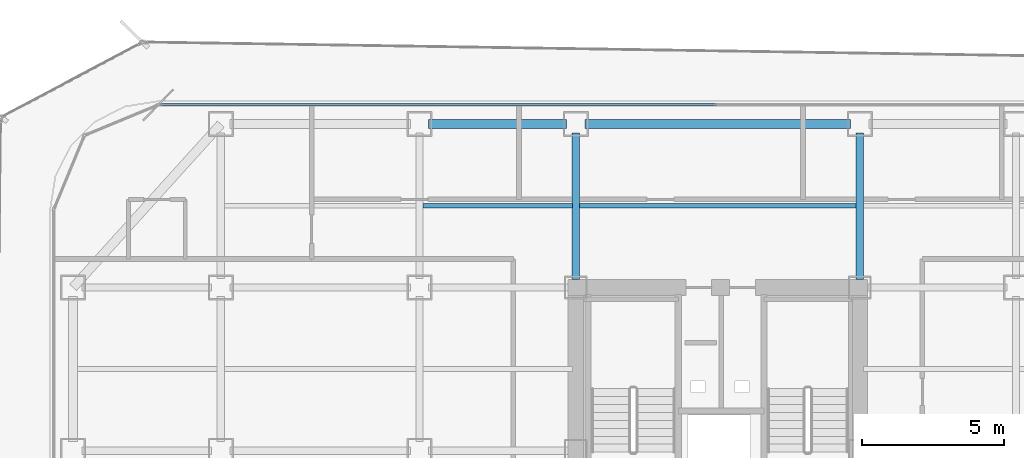
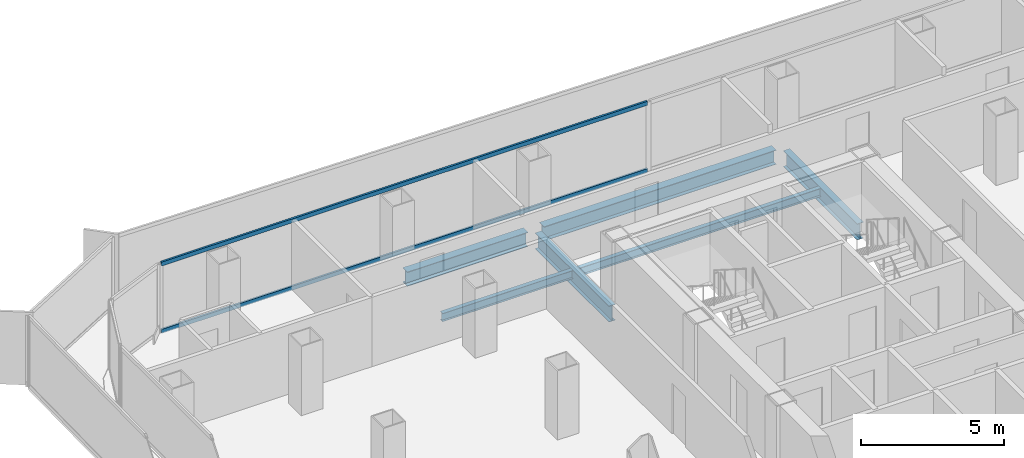
# One storey, part 11 of 21: 6 beams, 2 members, 1 element without a shape of its own.
"""IFC4 building model written with IfcOpenShell, lengths in metres."""

import ifcopenshell
import ifcopenshell.guid

model = None  # the IFC model being written
_history = None  # IfcOwnerHistory: only IFC2X3 demands one
_inside = {}  # id of a spatial element -> (the spatial element, [elements in it])
_under = {}  # id of a project, library or spatial element -> (it, [spatial elements below it])
_declared = {}  # id of a project -> (the project, [libraries it declares])
_typed = {}  # id of a type object -> (the type object, [elements of that type])
_made_of = {}  # id of a material, layer set ... -> (it, [elements and type objects made of it])


def new_model(schema):
    """Start an empty IFC model of exactly this schema.

    Asked for "IFC4X3", IfcOpenShell would pick the latest addendum, in which some entities
    have other attributes; the version numbers below select the first issue.
    IFC2X3 requires an IfcOwnerHistory on every rooted entity: one is made here for all.
    """
    global model, _history
    if schema == "IFC4X3":
        model = ifcopenshell.file(schema_version=(4, 3, 0, 0))
    else:
        model = ifcopenshell.file(schema=schema)
    _inside.clear()
    _under.clear()
    _declared.clear()
    _typed.clear()
    _made_of.clear()
    _history = None
    if model.schema == "IFC2X3":
        org = make("IfcOrganization", Name="unknown")
        user = make(
            "IfcPersonAndOrganization",
            ThePerson=make("IfcPerson", FamilyName="unknown"),
            TheOrganization=org,
        )
        app = make(
            "IfcApplication",
            ApplicationDeveloper=org,
            Version="unknown",
            ApplicationFullName="unknown",
            ApplicationIdentifier="unknown",
        )
        _history = make(
            "IfcOwnerHistory",
            OwningUser=user,
            OwningApplication=app,
            ChangeAction="ADDED",
            CreationDate=0,
        )
    return model


def make(cls, **values):
    """One entity of the class cls with the attributes given. An attribute that is None is left unset."""
    return model.create_entity(
        cls, **{name: value for name, value in values.items() if value is not None}
    )


def rooted(cls, **values):
    """An entity with a GlobalId (a new one), such as an element, a storey or a relation."""
    return make(cls, GlobalId=ifcopenshell.guid.new(), OwnerHistory=_history, **values)


def si_unit(unit_type, name, prefix=None):
    """IfcSIUnit, for example si_unit("LENGTHUNIT", "METRE", prefix="MILLI")."""
    return make("IfcSIUnit", UnitType=unit_type, Prefix=prefix, Name=name)


def assignment(units):
    """IfcUnitAssignment: the units of a project."""
    return None if units is None else make("IfcUnitAssignment", Units=units)


def point(xyz):
    """IfcCartesianPoint."""
    return None if xyz is None else make("IfcCartesianPoint", Coordinates=xyz)


def direction(xyz):
    """IfcDirection."""
    return None if xyz is None else make("IfcDirection", DirectionRatios=xyz)


def frame(location, z_axis=None, x_axis=None):
    """IfcAxis2Placement3D, a coordinate frame: its origin and axes. An axis left out is left unset."""
    return make(
        "IfcAxis2Placement3D",
        Location=point(location),
        Axis=direction(z_axis),
        RefDirection=direction(x_axis),
    )


def frame_2d(location, x_axis=None):
    """IfcAxis2Placement2D, a coordinate frame in the plane: its origin and x axis."""
    return make(
        "IfcAxis2Placement2D", Location=point(location), RefDirection=direction(x_axis)
    )


def origin():
    """The frame at (0, 0, 0) with its axes left unset."""
    return frame((0.0, 0.0, 0.0))


def origin_2d():
    """The frame at (0, 0) in the plane with its x axis left unset."""
    return frame_2d((0.0, 0.0))


def place(relative_to, where):
    """IfcLocalPlacement: puts the frame where relative to a parent placement (None: the world)."""
    return make(
        "IfcLocalPlacement", PlacementRelTo=relative_to, RelativePlacement=where
    )


def context(
    kind, dimensions, precision=None, world=None, true_north=None, identifier=None
):
    """IfcGeometricRepresentationContext, for example the 3D "Model" context."""
    return make(
        "IfcGeometricRepresentationContext",
        ContextIdentifier=identifier,
        ContextType=kind,
        CoordinateSpaceDimension=dimensions,
        Precision=precision,
        WorldCoordinateSystem=world,
        TrueNorth=true_north,
    )


def subcontext(parent, identifier, kind, view, scale=None):
    """IfcGeometricRepresentationSubContext, for example "Body" below "Model"."""
    return make(
        "IfcGeometricRepresentationSubContext",
        ContextIdentifier=identifier,
        ContextType=kind,
        ParentContext=parent,
        TargetScale=scale,
        TargetView=view,
    )


def project(units=None, contexts=None):
    """IfcProject with its units and contexts."""
    return rooted(
        "IfcProject",
        Name="project",
        RepresentationContexts=contexts,
        UnitsInContext=assignment(units),
    )


def spatial(cls, under=None, at=None, **own):
    """A site, building, storey or space (cls), placed at a placement, below another one or the project."""
    s = rooted(cls, ObjectPlacement=at, **own)
    if under is not None:
        _under.setdefault(under.id(), (under, []))[1].append(s)
    return s


def profile(cls, at=None, kind="AREA", **sizes):
    """A parametric profile (cls). Its sizes go by their IFC names, for example OverallWidth=200.0."""
    return make(cls, ProfileType=kind, Position=at, **sizes)


def hollow_rectangle(**sizes):
    """IfcRectangleHollowProfileDef."""
    return profile("IfcRectangleHollowProfileDef", **sizes)


def i_section(**sizes):
    """IfcIShapeProfileDef."""
    return profile("IfcIShapeProfileDef", **sizes)


def extrude(swept, where, along, depth):
    """IfcExtrudedAreaSolid: the profile swept, set in the frame where, extruded along a direction by depth."""
    return make(
        "IfcExtrudedAreaSolid",
        SweptArea=swept,
        Position=where,
        ExtrudedDirection=direction(along),
        Depth=depth,
    )


def shape(context_of_items, identifier, shape_type, items):
    """IfcShapeRepresentation: the items that make up one representation, for example the "Body"."""
    return make(
        "IfcShapeRepresentation",
        ContextOfItems=context_of_items,
        RepresentationIdentifier=identifier,
        RepresentationType=shape_type,
        Items=items,
    )


def source(mapping_origin, context_of_items, identifier, shape_type, items):
    """IfcRepresentationMap: a shape defined once, which mapped items show again and again."""
    return make(
        "IfcRepresentationMap",
        MappingOrigin=mapping_origin,
        MappedRepresentation=shape(context_of_items, identifier, shape_type, items),
    )


def transform(
    local_origin,
    x_axis=None,
    y_axis=None,
    z_axis=None,
    scale=None,
    scale2=None,
    scale3=None,
    uniform=True,
):
    """IfcCartesianTransformationOperator3D, or its non-uniform kind. x_axis, y_axis, z_axis: its Axis1, 2, 3."""
    if uniform:
        return make(
            "IfcCartesianTransformationOperator3D",
            Axis1=direction(x_axis),
            Axis2=direction(y_axis),
            LocalOrigin=point(local_origin),
            Scale=scale,
            Axis3=direction(z_axis),
        )
    return make(
        "IfcCartesianTransformationOperator3DnonUniform",
        Axis1=direction(x_axis),
        Axis2=direction(y_axis),
        LocalOrigin=point(local_origin),
        Scale=scale,
        Axis3=direction(z_axis),
        Scale2=scale2,
        Scale3=scale3,
    )


def mapped(mapping_source, mapping_target):
    """IfcMappedItem: shows the shape of a source again, moved by a transform."""
    return make(
        "IfcMappedItem", MappingSource=mapping_source, MappingTarget=mapping_target
    )


def material(Name=None, Category=None):
    """IfcMaterial."""
    return make("IfcMaterial", Name=Name, Category=Category)


def layer(
    of_material, thickness, ventilated=None, Name=None, Category=None, Priority=None
):
    """IfcMaterialLayer: one layer of a wall or slab, of a material (None: an air gap)."""
    return make(
        "IfcMaterialLayer",
        Material=of_material,
        LayerThickness=thickness,
        IsVentilated=ventilated,
        Name=Name,
        Category=Category,
        Priority=Priority,
    )


def layer_set(layers, Name=None):
    """IfcMaterialLayerSet."""
    return make("IfcMaterialLayerSet", MaterialLayers=layers, LayerSetName=Name)


def material_profile(
    of_material, cross_section, Name=None, Category=None, Priority=None
):
    """IfcMaterialProfile: a cross section and its material."""
    return make(
        "IfcMaterialProfile",
        Name=Name,
        Material=of_material,
        Profile=cross_section,
        Priority=Priority,
        Category=Category,
    )


def profile_set(profiles, Name=None, composite=None):
    """IfcMaterialProfileSet."""
    return make(
        "IfcMaterialProfileSet",
        Name=Name,
        MaterialProfiles=profiles,
        CompositeProfile=composite,
    )


def made_of(thing, what):
    """Note that an element or type object is made of a material, layer set ...; save() writes the relation."""
    if what is not None:
        _made_of.setdefault(what.id(), (what, []))[1].append(thing)
    return thing


def type_object(cls, material=None, **own):
    """A type object (cls), such as IfcWallType, which elements share."""
    return made_of(rooted(cls, **own), material)


def element(
    cls,
    number,
    at=None,
    inside=None,
    cuts=None,
    type_object=None,
    material=None,
    context=None,
    identifier="Body",
    shape_type=None,
    held_by="IfcProductDefinitionShape",
    body=None,
    shapes=None,
    **own,
):
    """One element of the class cls, such as IfcWall. Its Tag is "e" and its number.

    at: its placement. inside: the storey or other place that contains it. cuts: it is an
    opening in that element (IfcRelVoidsElement). A single representation is given by context,
    identifier, shape_type and body (its items); several are given by shapes. held_by: the class
    of the entity that holds the representations. save() writes the other relations.
    """
    e = rooted(cls, Tag="e%d" % number, ObjectPlacement=at, **own)
    if body is not None:
        shapes = [shape(context, identifier, shape_type, body)]
    if shapes is not None:
        e.Representation = make(held_by, Representations=shapes)
    if inside is not None:
        _inside.setdefault(inside.id(), (inside, []))[1].append(e)
    if cuts is not None:
        rooted(
            "IfcRelVoidsElement", RelatingBuildingElement=cuts, RelatedOpeningElement=e
        )
    if type_object is not None:
        _typed.setdefault(type_object.id(), (type_object, []))[1].append(e)
    return made_of(e, material)


def aggregate(whole, parts):
    """IfcRelAggregates: a whole, such as a stair, and the parts it consists of."""
    return rooted("IfcRelAggregates", RelatingObject=whole, RelatedObjects=parts)


def save(model, path):
    """Write the relations noted so far, then the file.

    IfcRelAggregates (storeys below a building ...), IfcRelContainedInSpatialStructure (elements
    in a storey), IfcRelDefinesByType, IfcRelAssociatesMaterial and IfcRelDeclares: one each for
    every whole, place, type object, material and project.
    """
    for whole, parts in _under.values():
        aggregate(whole, parts)
    for where, things in _inside.values():
        rooted(
            "IfcRelContainedInSpatialStructure",
            RelatedElements=things,
            RelatingStructure=where,
        )
    for kind, things in _typed.values():
        rooted("IfcRelDefinesByType", RelatedObjects=things, RelatingType=kind)
    for what, things in _made_of.values():
        rooted("IfcRelAssociatesMaterial", RelatedObjects=things, RelatingMaterial=what)
    for by, libraries in _declared.values():
        rooted("IfcRelDeclares", RelatingContext=by, RelatedDefinitions=libraries)
    model.write(path)


model = new_model("IFC4")

# Units and contexts
model_context = context("Model", 3, precision=1e-05, world=origin(), true_north=direction((0.0, 1.0)))
body_context = subcontext(model_context, "Body", "Model", "MODEL_VIEW")
ifc_project = project(units=[si_unit("LENGTHUNIT", "METRE"), si_unit("AREAUNIT", "SQUARE_METRE"), si_unit("VOLUMEUNIT", "CUBIC_METRE"), si_unit("PLANEANGLEUNIT", "RADIAN"), si_unit("MASSUNIT", "GRAM", prefix="KILO")], contexts=[model_context])

# Site, building, storey
site_placement = place(None, origin())
site = spatial("IfcSite", under=ifc_project, at=site_placement, CompositionType="ELEMENT")
building_placement = place(site_placement, origin())
building = spatial("IfcBuilding", under=site, at=building_placement, Name="Kolveth Station Tower", CompositionType="ELEMENT")
storey_placement = place(building_placement, frame((0.0, 0.0, 99.10009765625)))
storey = spatial("IfcBuildingStorey", under=building, at=storey_placement, Name="L26", CompositionType="ELEMENT", Elevation=99.10009765625)

# Beams
ifc_material_1 = material(Name="Steel S355", Category="steel")
ifc_material_profile_1 = material_profile(ifc_material_1, i_section(OverallWidth=0.323974609375, OverallDepth=0.611083984375, WebThickness=0.0126953125, FlangeThickness=0.01904296875, at=origin_2d()), Name="W610x155")
ifc_profile_set_1 = profile_set([ifc_material_profile_1], Name="Steel S355")
beam_type_1 = type_object("IfcBeamType", Name="Beam_SP2", PredefinedType="SPANDREL", material=ifc_profile_set_1)
shared_shape_1 = source(origin(), body_context, "Body", "SweptSolid", [
    extrude(i_section(OverallWidth=0.323974609375, OverallDepth=0.611083984375, WebThickness=0.0126953125, FlangeThickness=0.01904296875, at=origin_2d()), origin(), (0.0, 0.0, 1.0), 4.85986328125),
])
beam_1_placement = place(storey_placement, frame((13.320068359375, 34.5, -0.5556640625), z_axis=(1.0, 0.0, 0.0), x_axis=(0.0, 1.0, 0.0)))
element("IfcBeam", 1, at=beam_1_placement, inside=storey, type_object=beam_type_1, Name="L26 Perimeter Spandrel BM-L26-PN-2", PredefinedType="SPANDREL", context=body_context, shape_type="MappedRepresentation", body=[
    mapped(shared_shape_1, transform((0.0, 0.0, 0.0), x_axis=(1.0, 0.0, 0.0), y_axis=(0.0, 1.0, 0.0), z_axis=(0.0, 0.0, 1.0), scale=1.0)),
])
shared_shape_2 = source(origin(), body_context, "Body", "SweptSolid", [
    extrude(i_section(OverallWidth=0.323974609375, OverallDepth=0.611083984375, WebThickness=0.0126953125, FlangeThickness=0.01904296875, at=origin_2d()), origin(), (0.0, 0.0, 1.0), 9.35986328125),
])
beam_2_placement = place(storey_placement, frame((18.820068359375, 34.5, -0.5556640625), z_axis=(1.0, 0.0, 0.0), x_axis=(0.0, 1.0, 0.0)))
element("IfcBeam", 2, at=beam_2_placement, inside=storey, type_object=beam_type_1, Name="L26 Perimeter Spandrel BM-L26-PN-3", PredefinedType="SPANDREL", context=body_context, shape_type="MappedRepresentation", body=[
    mapped(shared_shape_2, transform((0.0, 0.0, 0.0), x_axis=(1.0, 0.0, 0.0), y_axis=(0.0, 1.0, 0.0), z_axis=(0.0, 0.0, 1.0), scale=1.0)),
])
ifc_material_profile_2 = material_profile(ifc_material_1, i_section(OverallWidth=0.25390625, OverallDepth=0.68798828125, WebThickness=0.01318359375, FlangeThickness=0.02099609375, at=origin_2d()), Name="W690x152")
ifc_profile_set_2 = profile_set([ifc_material_profile_2], Name="Steel S355")
beam_type_2 = type_object("IfcBeamType", Name="Beam_B4", PredefinedType="BEAM", material=ifc_profile_set_2)
shared_shape_3 = source(origin(), body_context, "Body", "SweptSolid", [
    extrude(i_section(OverallWidth=0.25390625, OverallDepth=0.68798828125, WebThickness=0.01318359375, FlangeThickness=0.02099609375, at=origin_2d()), origin(), (0.0, 0.0, 1.0), 5.14990234375),
])
for number, where, z_axis, x_axis, name in (
    (3, (18.5, 29.030029296875, -0.593994140625), (0.0, 1.0, 0.0), (-1.0, 0.0, 0.0), "L26 Primary Girder BM-L26-GX185-6"),
    (4, (28.5, 29.030029296875, -0.593994140625), (0.0, 1.0, 0.0), (-1.0, 0.0, 0.0), "L26 Primary Girder BM-L26-GX285-6"),
):
    element("IfcBeam", number, at=place(storey_placement, frame(where, z_axis=z_axis, x_axis=x_axis)), inside=storey, type_object=beam_type_2, Name=name, PredefinedType="BEAM", context=body_context, shape_type="MappedRepresentation", body=[
        mapped(shared_shape_3, transform((0.0, 0.0, 0.0), x_axis=(1.0, 0.0, 0.0), y_axis=(0.0, 1.0, 0.0), z_axis=(0.0, 0.0, 1.0), scale=1.0)),
    ])
ifc_material_profile_3 = material_profile(ifc_material_1, i_section(OverallWidth=0.1708984375, OverallDepth=0.35205078125, WebThickness=0.0068359375, FlangeThickness=0.009765625, at=origin_2d()), Name="W360x44")
ifc_profile_set_3 = profile_set([ifc_material_profile_3], Name="Steel S355")
beam_type_3 = type_object("IfcBeamType", Name="Beam_J2", PredefinedType="JOIST", material=ifc_profile_set_3)
shared_shape_4 = source(origin(), body_context, "Body", "SweptSolid", [
    extrude(i_section(OverallWidth=0.1708984375, OverallDepth=0.35205078125, WebThickness=0.0068359375, FlangeThickness=0.009765625, at=origin_2d()), origin(), (0.0, 0.0, 1.0), 5.25),
])
beam_3_placement = place(storey_placement, frame((13.125, 31.625, -0.426025390625), z_axis=(1.0, 0.0, 0.0), x_axis=(0.0, 1.0, 0.0)))
element("IfcBeam", 5, at=beam_3_placement, inside=storey, type_object=beam_type_3, Name="L26 Secondary Joist JST-L26-3-6", PredefinedType="JOIST", context=body_context, shape_type="MappedRepresentation", body=[
    mapped(shared_shape_4, transform((0.0, 0.0, 0.0), x_axis=(1.0, 0.0, 0.0), y_axis=(0.0, 1.0, 0.0), z_axis=(0.0, 0.0, 1.0), scale=1.0)),
])
shared_shape_5 = source(origin(), body_context, "Body", "SweptSolid", [
    extrude(i_section(OverallWidth=0.1708984375, OverallDepth=0.35205078125, WebThickness=0.0068359375, FlangeThickness=0.009765625, at=origin_2d()), origin(), (0.0, 0.0, 1.0), 9.75),
])
beam_4_placement = place(storey_placement, frame((18.625, 31.625, -0.426025390625), z_axis=(1.0, 0.0, 0.0), x_axis=(0.0, 1.0, 0.0)))
element("IfcBeam", 6, at=beam_4_placement, inside=storey, type_object=beam_type_3, Name="L26 Secondary Joist JST-L26-4-6", PredefinedType="JOIST", context=body_context, shape_type="MappedRepresentation", body=[
    mapped(shared_shape_5, transform((0.0, 0.0, 0.0), x_axis=(1.0, 0.0, 0.0), y_axis=(0.0, 1.0, 0.0), z_axis=(0.0, 0.0, 1.0), scale=1.0)),
])

# Curtain wall, members
ifc_material_2 = material(Name="Aluminium 6063-T6 and low-E dark glass", Category="aluminium")
ifc_layer = layer(ifc_material_2, 0.18994140625)
ifc_layer_set = layer_set([ifc_layer], Name="Aluminium 6063-T6 and low-E dark glass")
curtain_wall_type = type_object("IfcCurtainWallType", Name="CurtainWall_CW-Z2", PredefinedType="NOTDEFINED", material=ifc_layer_set)
curtain_wall_placement = place(storey_placement, origin())
curtain_wall = element("IfcCurtainWall", 7, at=curtain_wall_placement, inside=storey, type_object=curtain_wall_type, Name="L26 Inner Thermal Curtain Wall 6", PredefinedType="NOTDEFINED")
ifc_material_3 = material(Name="Black anodized aluminium 6063-T6", Category="aluminium")
ifc_material_profile_4 = material_profile(ifc_material_3, hollow_rectangle(XDim=0.080078125, YDim=0.169921875, WallThickness=0.0048828125, at=origin_2d()), Name="ALU-80x170x5")
ifc_profile_set_4 = profile_set([ifc_material_profile_4], Name="Black anodized aluminium 6063-T6")
member_type = type_object("IfcMemberType", Name="Transom_TR2", PredefinedType="USERDEFINED", material=ifc_profile_set_4)
shared_shape_6 = source(origin(), body_context, "Body", "SweptSolid", [
    extrude(hollow_rectangle(XDim=0.080078125, YDim=0.169921875, WallThickness=0.0048828125, at=origin_2d()), origin(), (0.0, 0.0, 1.0), 19.580078125),
])
member_1_placement = place(storey_placement, frame((23.4599609375, 35.179931640625, 0.039794921875), z_axis=(-1.0, 0.0, 0.0), x_axis=(0.0, -1.0, 0.0)))
member_1 = element("IfcMember", 8, at=member_1_placement, type_object=member_type, Name="CW-Z2 transom 2.1", ObjectType="TRANSOM", PredefinedType="USERDEFINED", context=body_context, shape_type="MappedRepresentation", body=[
    mapped(shared_shape_6, transform((0.0, 0.0, 0.0), x_axis=(1.0, 0.0, 0.0), y_axis=(0.0, 1.0, 0.0), z_axis=(0.0, 0.0, 1.0), scale=1.0)),
])
member_2_placement = place(storey_placement, frame((23.4599609375, 35.179931640625, 2.909912109375), z_axis=(-1.0, 0.0, 0.0), x_axis=(0.0, -1.0, 0.0)))
member_2 = element("IfcMember", 9, at=member_2_placement, type_object=member_type, Name="CW-Z2 transom 2.2", ObjectType="TRANSOM", PredefinedType="USERDEFINED", context=body_context, shape_type="MappedRepresentation", body=[
    mapped(shared_shape_6, transform((0.0, 0.0, 0.0), x_axis=(1.0, 0.0, 0.0), y_axis=(0.0, 1.0, 0.0), z_axis=(0.0, 0.0, 1.0), scale=1.0)),
])
aggregate(curtain_wall, [member_1, member_2])

save(model, "model.ifc")
